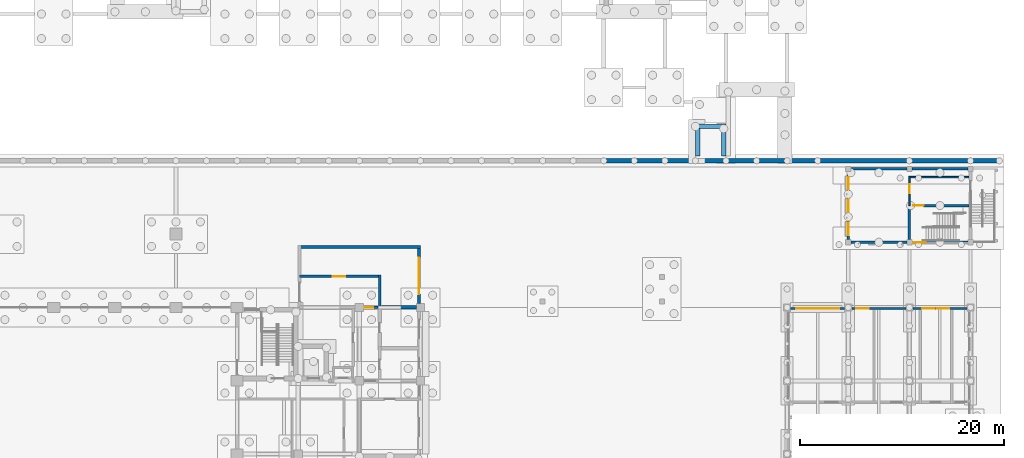
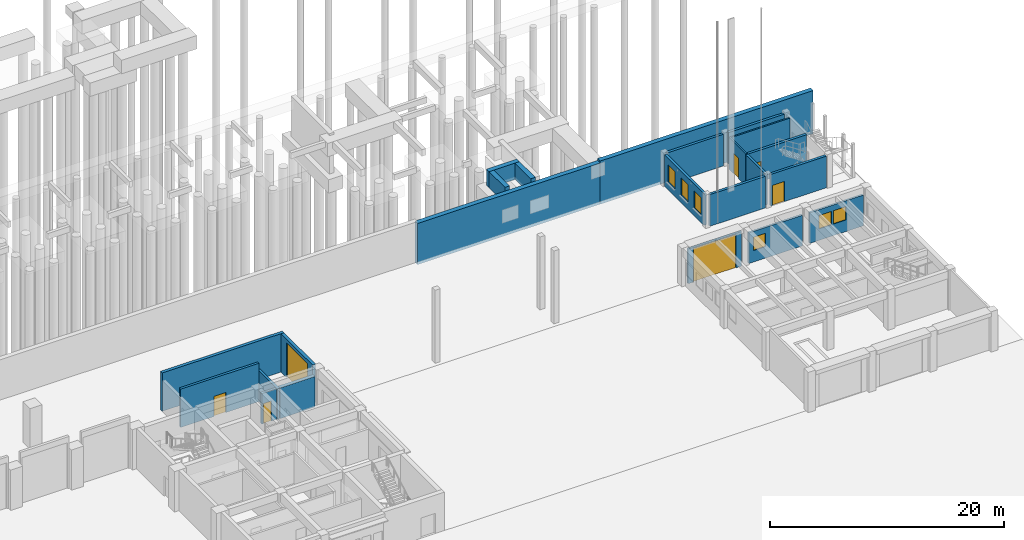
# One storey, part 26 of 37: 23 walls, 7 doors, 6 windows, 13 openings.
"""IFC4 building model written with IfcOpenShell, lengths in metres."""

from ifc_helpers import new_model, si_unit, direction, frame, frame_2d, origin, place, context, subcontext, project, spatial, rectangle, extrude, material, layer, layer_set, type_object, element, fill, save


model = new_model("IFC4")

# Units and contexts
model_context = context("Model", 3, precision=1e-05, world=origin(), true_north=direction((0.0, 1.0)))
body_context = subcontext(model_context, "Body", "Model", "MODEL_VIEW")
ifc_project = project(units=[si_unit("LENGTHUNIT", "METRE"), si_unit("AREAUNIT", "SQUARE_METRE"), si_unit("VOLUMEUNIT", "CUBIC_METRE"), si_unit("PLANEANGLEUNIT", "RADIAN"), si_unit("MASSUNIT", "GRAM", prefix="KILO")], contexts=[model_context])

# Site, building, storey
site_placement = place(None, origin())
site = spatial("IfcSite", under=ifc_project, at=site_placement, CompositionType="ELEMENT")
building_placement = place(site_placement, origin())
building = spatial("IfcBuilding", under=site, at=building_placement, Name="Laocheng Heights Fire and Rescue Headquarters", CompositionType="ELEMENT")
storey_placement = place(building_placement, origin())
storey = spatial("IfcBuildingStorey", under=building, at=storey_placement, Name="L00", CompositionType="ELEMENT", Elevation=0.0)

# Wall, opening, door
ifc_material_1 = material(Name="Gypsum plaster")
ifc_layer_1 = layer(ifc_material_1, 0.010009765625, Name="PLASTER", Category="plaster")
ifc_material_2 = material(Name="Concrete blockwork MU10", Category="masonry")
ifc_layer_2 = layer(ifc_material_2, 0.1298828125, Name="BLOCKWORK", Category="masonry")
ifc_layer_3 = layer(ifc_material_1, 0.010009765625, Name="PLASTER", Category="plaster")
ifc_layer_set_1 = layer_set([ifc_layer_1, ifc_layer_2, ifc_layer_3], Name="Concrete blockwork MU10")
wall_type_1 = type_object("IfcWallType", Name="BLOCKWORK STAIR LANDING WALL 150 EI 120 DRILL TOWER", PredefinedType="PARTITIONING", material=ifc_layer_set_1)
wall_1_placement = place(storey_placement, frame((120.0, 31.60009765625, 0.0), z_axis=(0.0, 0.0, 1.0), x_axis=(0.0, 1.0, 0.0)))
wall_1 = element("IfcWall", 1, at=wall_1_placement, inside=storey, type_object=wall_type_1, Name="Landing partition F1", PredefinedType="PARTITIONING", context=body_context, shape_type="SweptSolid", body=[
    extrude(rectangle(XDim=2.875, YDim=0.14990234375, at=frame_2d((1.4375, 0.0))), origin(), (0.0, 0.0, 1.0), 3.300048828125),
])
opening_1_placement = place(wall_1_placement, frame((1.1875, 0.0, 0.0)))
opening_1 = element("IfcOpeningElement", 2, at=opening_1_placement, cuts=wall_1, Name="Opening L00-L51", PredefinedType="OPENING", context=body_context, shape_type="SweptSolid", body=[
    extrude(rectangle(XDim=0.89990234375, YDim=2.10009765625, at=frame_2d((0.449951171875, 1.050048828125))), frame((0.0, 0.0849609375, 0.0), z_axis=(0.0, -1.0, 0.0), x_axis=(1.0, 0.0, 0.0)), (0.0, 0.0, 1.0), 0.169921875),
])
ifc_material_3 = material(Name="Steel door leaf, painted", Category="steel")
door_type_1 = type_object("IfcDoorType", Name="STEEL FIRE DOOR 900x2100 EI 90 DRILL TOWER", OperationType="SINGLE_SWING_LEFT", PredefinedType="DOOR", material=ifc_material_3)
door_1_placement = place(opening_1_placement, frame((0.89990234375, 0.0, 0.0), z_axis=(0.0, 0.0, 1.0), x_axis=(-1.0, 0.0, 0.0)))
door_1 = element("IfcDoor", 3, at=door_1_placement, inside=storey, type_object=door_type_1, Name="Door L00-L51", OperationType="SINGLE_SWING_LEFT", OverallHeight=2.10009765625, OverallWidth=0.89990234375, PredefinedType="DOOR", context=body_context, shape_type="SweptSolid", body=[
    extrude(rectangle(XDim=0.89990234375, YDim=2.10009765625, at=frame_2d((0.449951171875, 1.050048828125))), frame((0.0, 0.02490234375, 0.0), z_axis=(0.0, -1.0, 0.0), x_axis=(1.0, 0.0, 0.0)), (0.0, 0.0, 1.0), 0.050048828125),
])
fill(opening_1, door_1)

# Walls
wall_2_placement = place(storey_placement, frame((120.074951171875, 34.39990234375, 0.0), z_axis=(0.0, 0.0, 1.0), x_axis=(1.0, 0.0, 0.0)))
element("IfcWall", 4, at=wall_2_placement, inside=storey, type_object=wall_type_1, Name="Landing partition F1", PredefinedType="PARTITIONING", context=body_context, shape_type="SweptSolid", body=[
    extrude(rectangle(XDim=5.800048828125, YDim=0.14990234375, at=frame_2d((2.89990234375, 0.0))), origin(), (0.0, 0.0, 1.0), 3.300048828125),
])
ifc_material_4 = material(Name="Gypsum plaster")
ifc_layer_4 = layer(ifc_material_4, 0.010009765625, Name="PLASTER", Category="plaster")
ifc_material_5 = material(Name="Clay brick masonry MU10", Category="masonry")
ifc_layer_5 = layer(ifc_material_5, 0.219970703125, Name="BLOCKWORK", Category="masonry")
ifc_layer_6 = layer(ifc_material_4, 0.010009765625, Name="PLASTER", Category="plaster")
ifc_layer_set_2 = layer_set([ifc_layer_4, ifc_layer_5, ifc_layer_6], Name="Clay brick masonry MU10")
wall_type_2 = type_object("IfcWallType", Name="CLAY BRICK WALL 240 EI 120 BAY", PredefinedType="PARTITIONING", material=ifc_layer_set_2)
wall_3_placement = place(storey_placement, frame((68.0, 21.425048828125, 0.0), z_axis=(0.0, 0.0, 1.0), x_axis=(0.0, 1.0, 0.0)))
element("IfcWall", 5, at=wall_3_placement, inside=storey, type_object=wall_type_2, Name="Partition L00-016", PredefinedType="PARTITIONING", context=body_context, shape_type="SweptSolid", body=[
    extrude(rectangle(XDim=3.344970703125, YDim=0.239990234375, at=frame_2d((1.67236328125, 0.0))), origin(), (0.0, 0.0, 1.0), 3.199951171875),
])

# Wall, opening, door
wall_4_placement = place(storey_placement, frame((66.39990234375, 21.60009765625, 0.0), z_axis=(0.0, 0.0, 1.0), x_axis=(1.0, 0.0, 0.0)))
wall_4 = element("IfcWall", 6, at=wall_4_placement, inside=storey, type_object=wall_type_2, Name="Partition L00-033", PredefinedType="PARTITIONING", context=body_context, shape_type="SweptSolid", body=[
    extrude(rectangle(XDim=1.425048828125, YDim=0.239990234375, at=frame_2d((0.71240234375, 0.0))), origin(), (0.0, 0.0, 1.0), 3.199951171875),
])
opening_2_placement = place(wall_4_placement, frame((0.14990234375, 0.0, 0.0)))
opening_2 = element("IfcOpeningElement", 7, at=opening_2_placement, cuts=wall_4, Name="Opening L00-I14", PredefinedType="OPENING", context=body_context, shape_type="SweptSolid", body=[
    extrude(rectangle(XDim=0.800048828125, YDim=2.10009765625, at=frame_2d((0.39990234375, 1.050048828125))), frame((0.0, 0.1298828125, 0.0), z_axis=(0.0, -1.0, 0.0), x_axis=(1.0, 0.0, 0.0)), (0.0, 0.0, 1.0), 0.260009765625),
])
ifc_material_6 = material(Name="Steel door leaf, painted", Category="steel")
door_type_2 = type_object("IfcDoorType", Name="STEEL FIRE DOOR 800x2100 EI 120 BAY", OperationType="SINGLE_SWING_LEFT", PredefinedType="DOOR", material=ifc_material_6)
door_2_placement = place(opening_2_placement, origin())
door_2 = element("IfcDoor", 8, at=door_2_placement, inside=storey, type_object=door_type_2, Name="Door L00-I14", OperationType="SINGLE_SWING_RIGHT", OverallHeight=2.10009765625, OverallWidth=0.800048828125, PredefinedType="DOOR", context=body_context, shape_type="SweptSolid", body=[
    extrude(rectangle(XDim=0.800048828125, YDim=2.10009765625, at=frame_2d((0.39990234375, 1.050048828125))), frame((0.0, 0.02490234375, 0.0), z_axis=(0.0, -1.0, 0.0), x_axis=(1.0, 0.0, 0.0)), (0.0, 0.0, 1.0), 0.050048828125),
])
fill(opening_2, door_2)

wall_5_placement = place(storey_placement, frame((60.14990234375, 24.64990234375, 0.0), z_axis=(0.0, 0.0, 1.0), x_axis=(1.0, 0.0, 0.0)))
wall_5 = element("IfcWall", 9, at=wall_5_placement, inside=storey, type_object=wall_type_2, Name="Partition L00-035", PredefinedType="PARTITIONING", context=body_context, shape_type="SweptSolid", body=[
    extrude(rectangle(XDim=7.72998046875, YDim=0.239990234375, at=frame_2d((3.864990234375, 0.0))), origin(), (0.0, 0.0, 1.0), 4.0),
])
opening_3_placement = place(wall_5_placement, frame((3.264892578125, 0.0, 0.0)))
opening_3 = element("IfcOpeningElement", 10, at=opening_3_placement, cuts=wall_5, Name="Opening L00-I16", PredefinedType="OPENING", context=body_context, shape_type="SweptSolid", body=[
    extrude(rectangle(XDim=1.199951171875, YDim=2.10009765625, at=frame_2d((0.60009765625, 1.050048828125))), frame((0.0, 0.1298828125, 0.0), z_axis=(0.0, -1.0, 0.0), x_axis=(1.0, 0.0, 0.0)), (0.0, 0.0, 1.0), 0.260009765625),
])
ifc_material_7 = material(Name="Steel door leaf, painted", Category="steel")
door_type_3 = type_object("IfcDoorType", Name="STEEL FIRE DOOR 1200x2100 EI 120 BAY", OperationType="SINGLE_SWING_LEFT", PredefinedType="DOOR", material=ifc_material_7)
door_3_placement = place(opening_3_placement, frame((1.199951171875, 0.0, 0.0), z_axis=(0.0, 0.0, 1.0), x_axis=(-1.0, 0.0, 0.0)))
door_3 = element("IfcDoor", 11, at=door_3_placement, inside=storey, type_object=door_type_3, Name="Door L00-I16", OperationType="SINGLE_SWING_RIGHT", OverallHeight=2.10009765625, OverallWidth=1.199951171875, PredefinedType="DOOR", context=body_context, shape_type="SweptSolid", body=[
    extrude(rectangle(XDim=1.199951171875, YDim=2.10009765625, at=frame_2d((0.60009765625, 1.050048828125))), frame((0.0, 0.02490234375, 0.0), z_axis=(0.0, -1.0, 0.0), x_axis=(1.0, 0.0, 0.0)), (0.0, 0.0, 1.0), 0.050048828125),
])
fill(opening_3, door_3)

ifc_material_8 = material(Name="Cast stone cladding", Category="masonry")
ifc_layer_7 = layer(ifc_material_8, 0.0400390625, Name="CAST STONE FACING", Category="face")
ifc_material_9 = material(Name="Mineral wool insulation board")
ifc_layer_8 = layer(ifc_material_9, 0.080078125, Name="CAVITY INSULATION", Category="insulation")
ifc_material_10 = material(Name="Autoclaved aerated concrete A3.5", Category="concrete")
ifc_layer_9 = layer(ifc_material_10, 0.169921875, Name="BLOCKWORK LEAF", Category="masonry")
ifc_material_11 = material(Name="Gypsum plaster")
ifc_layer_10 = layer(ifc_material_11, 0.010009765625, Name="INTERNAL PLASTER", Category="plaster")
ifc_layer_set_3 = layer_set([ifc_layer_7, ifc_layer_8, ifc_layer_9, ifc_layer_10], Name="Precast concrete C40/50")
wall_type_3 = type_object("IfcWallType", Name="PRECAST PLANT WALL 300 ANNEX", PredefinedType="SOLIDWALL", material=ifc_layer_set_3)
wall_6_placement = place(storey_placement, frame((71.85009765625, 22.0, 0.0), z_axis=(0.0, 0.0, 1.0), x_axis=(0.0, 1.0, 0.0)))
wall_6 = element("IfcWall", 12, at=wall_6_placement, inside=storey, type_object=wall_type_3, Name="Annex wall L00", PredefinedType="SOLIDWALL", context=body_context, shape_type="SweptSolid", body=[
    extrude(rectangle(XDim=5.39990234375, YDim=0.300048828125, at=frame_2d((2.699951171875, 0.0))), origin(), (0.0, 0.0, 1.0), 4.0),
])
opening_4_placement = place(wall_6_placement, frame((0.89990234375, 0.0, 0.0)))
opening_4 = element("IfcOpeningElement", 13, at=opening_4_placement, cuts=wall_6, Name="Opening L00-E06", PredefinedType="OPENING", context=body_context, shape_type="SweptSolid", body=[
    extrude(rectangle(XDim=3.60009765625, YDim=3.60009765625, at=frame_2d((1.800048828125, 1.800048828125))), frame((0.0, 0.159912109375, 0.0), z_axis=(0.0, -1.0, 0.0), x_axis=(1.0, 0.0, 0.0)), (0.0, 0.0, 1.0), 0.320068359375),
])
ifc_material_12 = material(Name="Insulated aluminium roller shutter, powder-coated", Category="aluminium")
door_type_4 = type_object("IfcDoorType", Name="ROLLER SHUTTER DOOR INSULATED 3600 x 3600 EI 60", OperationType="ROLLINGUP", PredefinedType="DOOR", material=ifc_material_12)
door_4_placement = place(opening_4_placement, frame((3.60009765625, 0.0, 0.0), z_axis=(0.0, 0.0, 1.0), x_axis=(-1.0, 0.0, 0.0)))
door_4 = element("IfcDoor", 14, at=door_4_placement, inside=storey, type_object=door_type_4, Name="Wash bay roller door L00-E06", OperationType="ROLLINGUP", OverallHeight=3.60009765625, OverallWidth=3.60009765625, PredefinedType="DOOR", context=body_context, shape_type="SweptSolid", body=[
    extrude(rectangle(XDim=3.60009765625, YDim=3.60009765625, at=frame_2d((1.800048828125, 1.800048828125))), frame((0.0, 0.02490234375, 0.0), z_axis=(0.0, -1.0, 0.0), x_axis=(1.0, 0.0, 0.0)), (0.0, 0.0, 1.0), 0.050048828125),
])
fill(opening_4, door_4)

ifc_material_13 = material(Name="Aluminium profiled sheet cladding on insulated steel liner", Category="steel")
ifc_layer_11 = layer(ifc_material_13, 0.199951171875)
ifc_layer_set_4 = layer_set([ifc_layer_11], Name="Aluminium profiled sheet cladding on insulated steel liner")
wall_type_4 = type_object("IfcWallType", Name="PROFILED METAL CLAD WALL 200 WORKSHOP", PredefinedType="SOLIDWALL", material=ifc_layer_set_4)
wall_7_placement = place(storey_placement, frame((108.35009765625, 21.5, 0.0), z_axis=(0.0, 0.0, 1.0), x_axis=(1.0, 0.0, 0.0)))
wall_7 = element("IfcWall", 15, at=wall_7_placement, inside=storey, type_object=wall_type_4, Name="Workshop wall L00", PredefinedType="SOLIDWALL", context=body_context, shape_type="SweptSolid", body=[
    extrude(rectangle(XDim=5.2998046875, YDim=0.199951171875, at=frame_2d((2.64990234375, 0.0))), origin(), (0.0, 0.0, 1.0), 3.60009765625),
])
opening_5_placement = place(wall_7_placement, frame((0.550048828125, 0.0, 0.0)))
opening_5 = element("IfcOpeningElement", 16, at=opening_5_placement, cuts=wall_7, Name="Opening L00-E10", PredefinedType="OPENING", context=body_context, shape_type="SweptSolid", body=[
    extrude(rectangle(XDim=4.199951171875, YDim=3.5, at=frame_2d((2.10009765625, 1.75))), frame((0.0, 0.10986328125, 0.0), z_axis=(0.0, -1.0, 0.0), x_axis=(1.0, 0.0, 0.0)), (0.0, 0.0, 1.0), 0.219970703125),
])
ifc_material_14 = material(Name="Insulated aluminium roller shutter, powder-coated", Category="aluminium")
door_type_5 = type_object("IfcDoorType", Name="ROLLER SHUTTER DOOR INSULATED 4200 x 3500 EI 60", OperationType="ROLLINGUP", PredefinedType="DOOR", material=ifc_material_14)
door_5_placement = place(opening_5_placement, origin())
door_5 = element("IfcDoor", 17, at=door_5_placement, inside=storey, type_object=door_type_5, Name="Workshop roller door L00-E10", OperationType="ROLLINGUP", OverallHeight=3.5, OverallWidth=4.199951171875, PredefinedType="DOOR", context=body_context, shape_type="SweptSolid", body=[
    extrude(rectangle(XDim=4.199951171875, YDim=3.5, at=frame_2d((2.10009765625, 1.75))), frame((0.0, 0.02490234375, 0.0), z_axis=(0.0, -1.0, 0.0), x_axis=(1.0, 0.0, 0.0)), (0.0, 0.0, 1.0), 0.050048828125),
])
fill(opening_5, door_5)

# Wall, opening, window
wall_8_placement = place(storey_placement, frame((114.35009765625, 21.5, 0.0), z_axis=(0.0, 0.0, 1.0), x_axis=(1.0, 0.0, 0.0)))
wall_8 = element("IfcWall", 18, at=wall_8_placement, inside=storey, type_object=wall_type_4, Name="Workshop wall L00", PredefinedType="SOLIDWALL", context=body_context, shape_type="SweptSolid", body=[
    extrude(rectangle(XDim=5.2998046875, YDim=0.199951171875, at=frame_2d((2.64990234375, 0.0))), origin(), (0.0, 0.0, 1.0), 3.199951171875),
])
opening_6_placement = place(wall_8_placement, frame((0.449951171875, 0.0, 1.199951171875)))
opening_6 = element("IfcOpeningElement", 19, at=opening_6_placement, cuts=wall_8, Name="Opening N4-E", PredefinedType="OPENING", context=body_context, shape_type="SweptSolid", body=[
    extrude(rectangle(XDim=1.199951171875, YDim=1.39990234375, at=frame_2d((0.60009765625, 0.699951171875))), frame((0.0, 0.10986328125, 0.0), z_axis=(0.0, -1.0, 0.0), x_axis=(1.0, 0.0, 0.0)), (0.0, 0.0, 1.0), 0.219970703125),
])
ifc_material_15 = material(Name="Low-e double glazing in thermally broken aluminium frame", Category="aluminium")
window_type_1 = type_object("IfcWindowType", Name="CLERESTORY WINDOW 1200 x 1400 SILL 1200", PartitioningType="SINGLE_PANEL", PredefinedType="WINDOW", material=ifc_material_15)
window_1_placement = place(opening_6_placement, origin())
window_1 = element("IfcWindow", 20, at=window_1_placement, inside=storey, type_object=window_type_1, Name="Workshop window L00", OverallHeight=1.39990234375, OverallWidth=1.199951171875, PartitioningType="SINGLE_PANEL", PredefinedType="WINDOW", context=body_context, shape_type="SweptSolid", body=[
    extrude(rectangle(XDim=1.199951171875, YDim=1.39990234375, at=frame_2d((0.60009765625, 0.699951171875))), frame((0.0, 0.030029296875, 0.0), z_axis=(0.0, -1.0, 0.0), x_axis=(1.0, 0.0, 0.0)), (0.0, 0.0, 1.0), 0.06005859375),
])
fill(opening_6, window_1)

# Wall, openings, windows
wall_9_placement = place(storey_placement, frame((120.35009765625, 21.5, 0.0), z_axis=(0.0, 0.0, 1.0), x_axis=(1.0, 0.0, 0.0)))
wall_9 = element("IfcWall", 21, at=wall_9_placement, inside=storey, type_object=wall_type_4, Name="Workshop wall L00", PredefinedType="SOLIDWALL", context=body_context, shape_type="SweptSolid", body=[
    extrude(rectangle(XDim=5.2998046875, YDim=0.199951171875, at=frame_2d((2.64990234375, 0.0))), origin(), (0.0, 0.0, 1.0), 3.199951171875),
])
opening_7_placement = place(wall_9_placement, frame((0.93505859375, 0.0, 1.199951171875)))
opening_7 = element("IfcOpeningElement", 22, at=opening_7_placement, cuts=wall_9, Name="Opening N4-E", PredefinedType="OPENING", context=body_context, shape_type="SweptSolid", body=[
    extrude(rectangle(XDim=1.199951171875, YDim=1.39990234375, at=frame_2d((0.60009765625, 0.699951171875))), frame((0.0, 0.10986328125, 0.0), z_axis=(0.0, -1.0, 0.0), x_axis=(1.0, 0.0, 0.0)), (0.0, 0.0, 1.0), 0.219970703125),
])
opening_8_placement = place(wall_9_placement, frame((2.364990234375, 0.0, 1.199951171875)))
opening_8 = element("IfcOpeningElement", 23, at=opening_8_placement, cuts=wall_9, Name="Opening N4-E", PredefinedType="OPENING", context=body_context, shape_type="SweptSolid", body=[
    extrude(rectangle(XDim=1.199951171875, YDim=1.39990234375, at=frame_2d((0.60009765625, 0.699951171875))), frame((0.0, 0.10986328125, 0.0), z_axis=(0.0, -1.0, 0.0), x_axis=(1.0, 0.0, 0.0)), (0.0, 0.0, 1.0), 0.219970703125),
])
window_2_placement = place(opening_7_placement, origin())
window_2 = element("IfcWindow", 24, at=window_2_placement, inside=storey, type_object=window_type_1, Name="Workshop window L00", OverallHeight=1.39990234375, OverallWidth=1.199951171875, PartitioningType="SINGLE_PANEL", PredefinedType="WINDOW", context=body_context, shape_type="SweptSolid", body=[
    extrude(rectangle(XDim=1.199951171875, YDim=1.39990234375, at=frame_2d((0.60009765625, 0.699951171875))), frame((0.0, 0.030029296875, 0.0), z_axis=(0.0, -1.0, 0.0), x_axis=(1.0, 0.0, 0.0)), (0.0, 0.0, 1.0), 0.06005859375),
])
fill(opening_7, window_2)
window_3_placement = place(opening_8_placement, origin())
window_3 = element("IfcWindow", 25, at=window_3_placement, inside=storey, type_object=window_type_1, Name="Workshop window L00", OverallHeight=1.39990234375, OverallWidth=1.199951171875, PartitioningType="SINGLE_PANEL", PredefinedType="WINDOW", context=body_context, shape_type="SweptSolid", body=[
    extrude(rectangle(XDim=1.199951171875, YDim=1.39990234375, at=frame_2d((0.60009765625, 0.699951171875))), frame((0.0, 0.030029296875, 0.0), z_axis=(0.0, -1.0, 0.0), x_axis=(1.0, 0.0, 0.0)), (0.0, 0.0, 1.0), 0.06005859375),
])
fill(opening_8, window_3)

# Walls
ifc_material_16 = material(Name="Gypsum plaster")
ifc_layer_12 = layer(ifc_material_16, 0.010009765625, Name="PLASTER", Category="plaster")
ifc_material_17 = material(Name="Concrete blockwork MU10", Category="masonry")
ifc_layer_13 = layer(ifc_material_17, 0.10009765625, Name="BLOCK SHELL", Category="masonry")
ifc_material_18 = material(Name="Concrete C30", Category="concrete")
ifc_layer_14 = layer(ifc_material_18, 0.1298828125, Name="CONCRETE FILL", Category="structure")
ifc_layer_15 = layer(ifc_material_17, 0.10009765625, Name="BLOCK SHELL", Category="masonry")
ifc_layer_16 = layer(ifc_material_16, 0.010009765625, Name="PLASTER", Category="plaster")
ifc_layer_set_5 = layer_set([ifc_layer_12, ifc_layer_13, ifc_layer_14, ifc_layer_15, ifc_layer_16], Name="Concrete blockwork MU10")
wall_type_5 = type_object("IfcWallType", Name="RC FILLED BLOCK FIRE WALL 350 EI 180 BAY", PredefinedType="PARTITIONING", material=ifc_layer_set_5)
wall_10_placement = place(storey_placement, frame((68.175048828125, 21.60009765625, 0.0), z_axis=(0.0, 0.0, 1.0), x_axis=(1.0, 0.0, 0.0)))
element("IfcWall", 26, at=wall_10_placement, inside=storey, type_object=wall_type_5, Name="Partition L00-034", PredefinedType="PARTITIONING", context=body_context, shape_type="SweptSolid", body=[
    extrude(rectangle(XDim=3.425048828125, YDim=0.35009765625, at=frame_2d((1.71240234375, 0.0))), origin(), (0.0, 0.0, 1.0), 3.199951171875),
])
ifc_material_19 = material(Name="Concrete C40", Category="concrete")
ifc_layer_17 = layer(ifc_material_19, 0.449951171875)
ifc_layer_set_6 = layer_set([ifc_layer_17], Name="Concrete C40")
wall_type_6 = type_object("IfcWallType", Name="RC LIFT PIT WALL 450", PredefinedType="SHEAR", material=ifc_layer_set_6)
wall_11_placement = place(storey_placement, frame((99.0, 39.375, 2.5), z_axis=(0.0, 0.0, 1.0), x_axis=(1.0, 0.0, 0.0)))
element("IfcWall", 27, at=wall_11_placement, inside=storey, type_object=wall_type_6, Name="Lift pit wall", PredefinedType="SHEAR", context=body_context, shape_type="SweptSolid", body=[
    extrude(rectangle(XDim=3.0, YDim=0.449951171875, at=frame_2d((1.5, 0.0))), origin(), (0.0, 0.0, 1.0), 1.699951171875),
])
for number, where, z_axis, x_axis, name in (
    (28, (99.22509765625, 36.449951171875, 2.5), (0.0, 0.0, 1.0), (0.0, 1.0, 0.0), "Lift pit wall"),
    (29, (101.77490234375, 36.449951171875, 2.5), (0.0, 0.0, 1.0), (0.0, 1.0, 0.0), "Lift pit wall"),
):
    element("IfcWall", number, at=place(storey_placement, frame(where, z_axis=z_axis, x_axis=x_axis)), inside=storey, type_object=wall_type_6, Name=name, PredefinedType="SHEAR", context=body_context, shape_type="SweptSolid", body=[
        extrude(rectangle(XDim=2.699951171875, YDim=0.449951171875, at=frame_2d((1.35009765625, 0.0))), origin(), (0.0, 0.0, 1.0), 1.699951171875),
    ])
ifc_material_20 = material(Name="Concrete C40", Category="concrete")
ifc_layer_18 = layer(ifc_material_20, 0.449951171875)
ifc_layer_set_7 = layer_set([ifc_layer_18], Name="Concrete C40")
wall_type_7 = type_object("IfcWallType", Name="RC RETAINING WALL 450", PredefinedType="SOLIDWALL", material=ifc_layer_set_7)
wall_12_placement = place(storey_placement, frame((90.0, 36.0, -0.300048828125), z_axis=(0.0, 0.0, 1.0), x_axis=(1.0, 0.0, 0.0)))
element("IfcWall", 30, at=wall_12_placement, inside=storey, type_object=wall_type_7, Name="Retaining wall RW1 90 to 108", PredefinedType="SOLIDWALL", context=body_context, shape_type="SweptSolid", body=[
    extrude(rectangle(XDim=18.0, YDim=0.449951171875, at=frame_2d((9.0, 0.0))), origin(), (0.0, 0.0, 1.0), 4.300048828125),
])
wall_13_placement = place(storey_placement, frame((108.0, 36.0, -0.300048828125), z_axis=(0.0, 0.0, 1.0), x_axis=(1.0, 0.0, 0.0)))
element("IfcWall", 31, at=wall_13_placement, inside=storey, type_object=wall_type_7, Name="Retaining wall RW1 108 to 129", PredefinedType="SOLIDWALL", context=body_context, shape_type="SweptSolid", body=[
    extrude(rectangle(XDim=21.0, YDim=0.449951171875, at=frame_2d((10.5, 0.0))), origin(), (0.0, 0.0, 1.0), 4.5),
])
ifc_material_21 = material(Name="Concrete C40", Category="concrete")
ifc_layer_19 = layer(ifc_material_21, 0.25)
ifc_layer_set_8 = layer_set([ifc_layer_19], Name="Concrete C40")
wall_type_8 = type_object("IfcWallType", Name="RC SHEAR WALL 250 BOARD-MARKED DRILL TOWER", PredefinedType="SHEAR", material=ifc_layer_set_8)
for number, where, z_axis, x_axis, name in (
    (32, (114.25, 28.0, 0.0), (0.0, 0.0, 1.0), (1.0, 0.0, 0.0), "Drill tower wall S F1"),
    (33, (114.25, 35.199951171875, 0.0), (0.0, 0.0, 1.0), (1.0, 0.0, 0.0), "Drill tower wall N F1"),
    (34, (120.25, 35.199951171875, 0.0), (0.0, 0.0, 1.0), (1.0, 0.0, 0.0), "Drill tower wall N F1"),
):
    element("IfcWall", number, at=place(storey_placement, frame(where, z_axis=z_axis, x_axis=x_axis)), inside=storey, type_object=wall_type_8, Name=name, PredefinedType="SHEAR", context=body_context, shape_type="SweptSolid", body=[
        extrude(rectangle(XDim=5.5, YDim=0.25, at=frame_2d((2.75, 0.0))), origin(), (0.0, 0.0, 1.0), 3.300048828125),
    ])

# Wall, openings, windows
wall_14_placement = place(storey_placement, frame((114.0, 28.25, 0.0), z_axis=(0.0, 0.0, 1.0), x_axis=(0.0, 1.0, 0.0)))
wall_14 = element("IfcWall", 35, at=wall_14_placement, inside=storey, type_object=wall_type_8, Name="Drill tower wall W F1", PredefinedType="SHEAR", context=body_context, shape_type="SweptSolid", body=[
    extrude(rectangle(XDim=6.699951171875, YDim=0.25, at=frame_2d((3.35009765625, 0.0))), origin(), (0.0, 0.0, 1.0), 3.300048828125),
])
opening_9_placement = place(wall_14_placement, frame((0.449951171875, 0.0, 0.800048828125)))
opening_9 = element("IfcOpeningElement", 36, at=opening_9_placement, cuts=wall_14, Name="Opening N2-L", PredefinedType="OPENING", context=body_context, shape_type="SweptSolid", body=[
    extrude(rectangle(XDim=1.199951171875, YDim=1.800048828125, at=frame_2d((0.60009765625, 0.89990234375))), frame((0.0, 0.135009765625, 0.0), z_axis=(0.0, -1.0, 0.0), x_axis=(1.0, 0.0, 0.0)), (0.0, 0.0, 1.0), 0.27001953125),
])
opening_10_placement = place(wall_14_placement, frame((2.699951171875, 0.0, 0.800048828125)))
opening_10 = element("IfcOpeningElement", 37, at=opening_10_placement, cuts=wall_14, Name="Opening N2-L", PredefinedType="OPENING", context=body_context, shape_type="SweptSolid", body=[
    extrude(rectangle(XDim=1.199951171875, YDim=1.800048828125, at=frame_2d((0.60009765625, 0.89990234375))), frame((0.0, 0.135009765625, 0.0), z_axis=(0.0, -1.0, 0.0), x_axis=(1.0, 0.0, 0.0)), (0.0, 0.0, 1.0), 0.27001953125),
])
opening_11_placement = place(wall_14_placement, frame((4.949951171875, 0.0, 0.800048828125)))
opening_11 = element("IfcOpeningElement", 38, at=opening_11_placement, cuts=wall_14, Name="Opening N2-L", PredefinedType="OPENING", context=body_context, shape_type="SweptSolid", body=[
    extrude(rectangle(XDim=1.199951171875, YDim=1.800048828125, at=frame_2d((0.60009765625, 0.89990234375))), frame((0.0, 0.135009765625, 0.0), z_axis=(0.0, -1.0, 0.0), x_axis=(1.0, 0.0, 0.0)), (0.0, 0.0, 1.0), 0.27001953125),
])
ifc_material_22 = material(Name="Steel frame, single glazing", Category="steel")
window_type_2 = type_object("IfcWindowType", Name="STEEL TRAINING WINDOW 1200 x 1800", PartitioningType="SINGLE_PANEL", PredefinedType="WINDOW", material=ifc_material_22)
window_4_placement = place(opening_9_placement, origin())
window_4 = element("IfcWindow", 39, at=window_4_placement, inside=storey, type_object=window_type_2, Name="Training window first floor west face", OverallHeight=1.800048828125, OverallWidth=1.199951171875, PartitioningType="SINGLE_PANEL", PredefinedType="WINDOW", context=body_context, shape_type="SweptSolid", body=[
    extrude(rectangle(XDim=1.199951171875, YDim=1.800048828125, at=frame_2d((0.60009765625, 0.89990234375))), frame((0.0, 0.030029296875, 0.0), z_axis=(0.0, -1.0, 0.0), x_axis=(1.0, 0.0, 0.0)), (0.0, 0.0, 1.0), 0.06005859375),
])
fill(opening_9, window_4)
window_5_placement = place(opening_10_placement, origin())
window_5 = element("IfcWindow", 40, at=window_5_placement, inside=storey, type_object=window_type_2, Name="Training window first floor west face", OverallHeight=1.800048828125, OverallWidth=1.199951171875, PartitioningType="SINGLE_PANEL", PredefinedType="WINDOW", context=body_context, shape_type="SweptSolid", body=[
    extrude(rectangle(XDim=1.199951171875, YDim=1.800048828125, at=frame_2d((0.60009765625, 0.89990234375))), frame((0.0, 0.030029296875, 0.0), z_axis=(0.0, -1.0, 0.0), x_axis=(1.0, 0.0, 0.0)), (0.0, 0.0, 1.0), 0.06005859375),
])
fill(opening_10, window_5)
window_6_placement = place(opening_11_placement, origin())
window_6 = element("IfcWindow", 41, at=window_6_placement, inside=storey, type_object=window_type_2, Name="Training window first floor west face", OverallHeight=1.800048828125, OverallWidth=1.199951171875, PartitioningType="SINGLE_PANEL", PredefinedType="WINDOW", context=body_context, shape_type="SweptSolid", body=[
    extrude(rectangle(XDim=1.199951171875, YDim=1.800048828125, at=frame_2d((0.60009765625, 0.89990234375))), frame((0.0, 0.030029296875, 0.0), z_axis=(0.0, -1.0, 0.0), x_axis=(1.0, 0.0, 0.0)), (0.0, 0.0, 1.0), 0.06005859375),
])
fill(opening_11, window_6)

# Wall, opening, door
ifc_material_23 = material(Name="Concrete C50", Category="concrete")
ifc_layer_20 = layer(ifc_material_23, 0.25)
ifc_layer_set_9 = layer_set([ifc_layer_20], Name="Concrete C50")
wall_type_9 = type_object("IfcWallType", Name="RC STAIR ENCLOSURE WALL 250", PredefinedType="SHEAR", material=ifc_layer_set_9)
wall_15_placement = place(storey_placement, frame((120.25, 28.0, 0.0), z_axis=(0.0, 0.0, 1.0), x_axis=(1.0, 0.0, 0.0)))
wall_15 = element("IfcWall", 42, at=wall_15_placement, inside=storey, type_object=wall_type_9, Name="Stair enclosure wall", PredefinedType="SHEAR", context=body_context, shape_type="SweptSolid", body=[
    extrude(rectangle(XDim=5.5, YDim=0.25, at=frame_2d((2.75, 0.0))), origin(), (0.0, 0.0, 1.0), 3.300048828125),
])
opening_12_placement = place(wall_15_placement, frame((0.14990234375, 0.0, 0.0)))
opening_12 = element("IfcOpeningElement", 43, at=opening_12_placement, cuts=wall_15, Name="Opening L00-K17", PredefinedType="OPENING", context=body_context, shape_type="SweptSolid", body=[
    extrude(rectangle(XDim=1.199951171875, YDim=2.10009765625, at=frame_2d((0.60009765625, 1.050048828125))), frame((0.0, 0.135009765625, 0.0), z_axis=(0.0, -1.0, 0.0), x_axis=(1.0, 0.0, 0.0)), (0.0, 0.0, 1.0), 0.27001953125),
])
ifc_material_24 = material(Name="Painted steel", Category="steel")
door_type_6 = type_object("IfcDoorType", Name="STAIR EXIT DOOR 1200x2100 EI 60", OperationType="SINGLE_SWING_LEFT", PredefinedType="DOOR", material=ifc_material_24)
door_6_placement = place(opening_12_placement, frame((1.199951171875, 0.0, 0.0), z_axis=(0.0, 0.0, 1.0), x_axis=(-1.0, 0.0, 0.0)))
door_6 = element("IfcDoor", 44, at=door_6_placement, inside=storey, type_object=door_type_6, Name="Stair T1 exit door", OperationType="SINGLE_SWING_RIGHT", OverallHeight=2.10009765625, OverallWidth=1.199951171875, PredefinedType="DOOR", context=body_context, shape_type="SweptSolid", body=[
    extrude(rectangle(XDim=1.199951171875, YDim=2.10009765625, at=frame_2d((0.60009765625, 1.050048828125))), frame((0.0, 0.02490234375, 0.0), z_axis=(0.0, -1.0, 0.0), x_axis=(1.0, 0.0, 0.0)), (0.0, 0.0, 1.0), 0.050048828125),
])
fill(opening_12, door_6)

# Wall
wall_16_placement = place(storey_placement, frame((120.0, 28.25, 0.0), z_axis=(0.0, 0.0, 1.0), x_axis=(0.0, 1.0, 0.0)))
element("IfcWall", 45, at=wall_16_placement, inside=storey, type_object=wall_type_9, Name="Stair enclosure wall", PredefinedType="SHEAR", context=body_context, shape_type="SweptSolid", body=[
    extrude(rectangle(XDim=3.22509765625, YDim=0.25, at=frame_2d((1.612548828125, 0.0))), origin(), (0.0, 0.0, 1.0), 3.300048828125),
])

# Wall, opening, door
wall_17_placement = place(storey_placement, frame((120.125, 31.60009765625, 0.0), z_axis=(0.0, 0.0, 1.0), x_axis=(1.0, 0.0, 0.0)))
wall_17 = element("IfcWall", 46, at=wall_17_placement, inside=storey, type_object=wall_type_9, Name="Stair enclosure wall", PredefinedType="SHEAR", context=body_context, shape_type="SweptSolid", body=[
    extrude(rectangle(XDim=5.75, YDim=0.25, at=frame_2d((2.875, 0.0))), origin(), (0.0, 0.0, 1.0), 3.300048828125),
])
opening_13_placement = place(wall_17_placement, frame((0.27490234375, 0.0, 0.0)))
opening_13 = element("IfcOpeningElement", 47, at=opening_13_placement, cuts=wall_17, Name="Opening L00-K16", PredefinedType="OPENING", context=body_context, shape_type="SweptSolid", body=[
    extrude(rectangle(XDim=1.0, YDim=2.10009765625, at=frame_2d((0.5, 1.050048828125))), frame((0.0, 0.135009765625, 0.0), z_axis=(0.0, -1.0, 0.0), x_axis=(1.0, 0.0, 0.0)), (0.0, 0.0, 1.0), 0.27001953125),
])
ifc_material_25 = material(Name="Painted steel", Category="steel")
door_type_7 = type_object("IfcDoorType", Name="FIRE DOOR 1000x2100 EI 60", OperationType="SINGLE_SWING_LEFT", PredefinedType="DOOR", material=ifc_material_25)
door_7_placement = place(opening_13_placement, origin())
door_7 = element("IfcDoor", 48, at=door_7_placement, inside=storey, type_object=door_type_7, Name="Stair T1 door", OperationType="SINGLE_SWING_LEFT", OverallHeight=2.10009765625, OverallWidth=1.0, PredefinedType="DOOR", context=body_context, shape_type="SweptSolid", body=[
    extrude(rectangle(XDim=1.0, YDim=2.10009765625, at=frame_2d((0.5, 1.050048828125))), frame((0.0, 0.02490234375, 0.0), z_axis=(0.0, -1.0, 0.0), x_axis=(1.0, 0.0, 0.0)), (0.0, 0.0, 1.0), 0.050048828125),
])
fill(opening_13, door_7)

# Wall
ifc_material_26 = material(Name="Concrete C40", Category="concrete")
ifc_layer_21 = layer(ifc_material_26, 0.300048828125)
ifc_layer_set_10 = layer_set([ifc_layer_21], Name="Concrete C40")
wall_type_10 = type_object("IfcWallType", Name="RC WALL 300 ANNEX NORTH", PredefinedType="SOLIDWALL", material=ifc_layer_set_10)
wall_18_placement = place(storey_placement, frame((60.0, 27.550048828125, 0.0), z_axis=(0.0, 0.0, 1.0), x_axis=(1.0, 0.0, 0.0)))
element("IfcWall", 49, at=wall_18_placement, inside=storey, type_object=wall_type_10, Name="Annex wall L00", PredefinedType="SOLIDWALL", context=body_context, shape_type="SweptSolid", body=[
    extrude(rectangle(XDim=12.0, YDim=0.300048828125, at=frame_2d((6.0, 0.0))), origin(), (0.0, 0.0, 1.0), 4.0),
])

save(model, "model.ifc")
